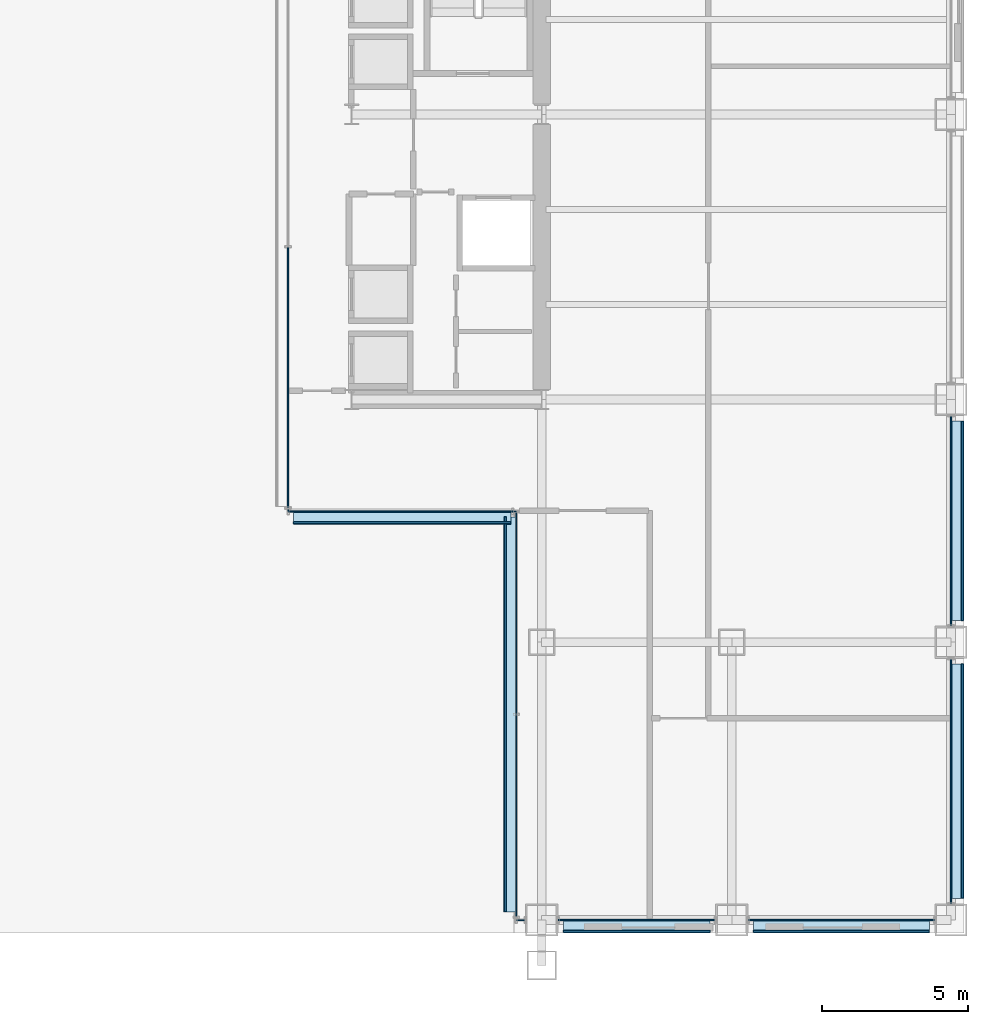
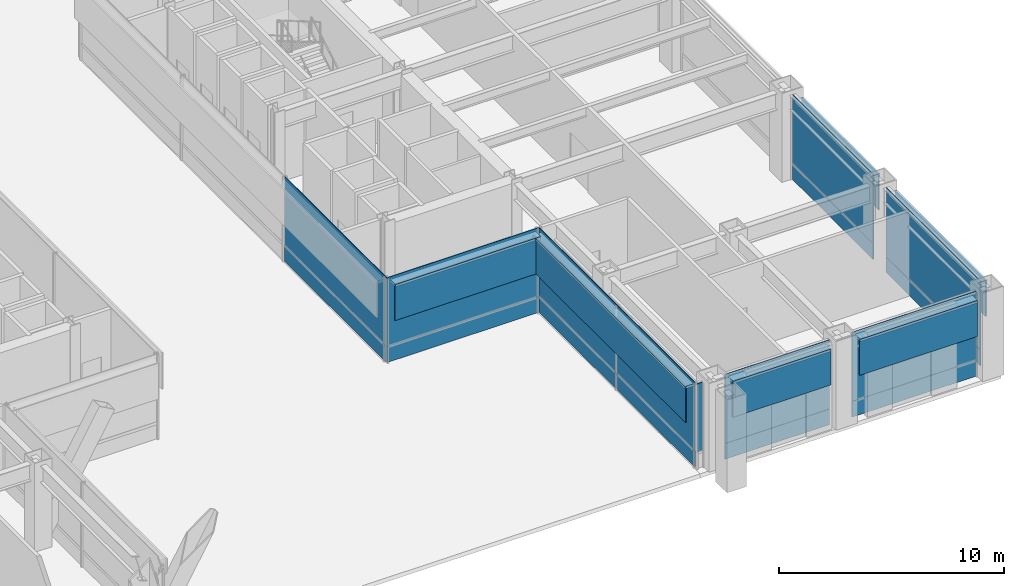
# One storey, part 24 of 37: 29 plates, 8 elements without a shape of their own.
"""IFC4 building model written with IfcOpenShell, lengths in metres."""

from ifc_helpers import new_model, si_unit, direction, frame, origin, origin_2d, place, context, subcontext, project, spatial, rectangle, extrude, material, layer, layer_set, type_object, element, aggregate, save


model = new_model("IFC4")

# Units and contexts
model_context = context("Model", 3, precision=1e-05, world=origin(), true_north=direction((0.0, 1.0)))
body_context = subcontext(model_context, "Body", "Model", "MODEL_VIEW")
ifc_project = project(units=[si_unit("LENGTHUNIT", "METRE"), si_unit("AREAUNIT", "SQUARE_METRE"), si_unit("VOLUMEUNIT", "CUBIC_METRE"), si_unit("PLANEANGLEUNIT", "RADIAN"), si_unit("MASSUNIT", "GRAM", prefix="KILO")], contexts=[model_context])

# Site, building, storey
site_placement = place(None, origin())
site = spatial("IfcSite", under=ifc_project, at=site_placement, CompositionType="ELEMENT")
building_placement = place(site_placement, origin())
building = spatial("IfcBuilding", under=site, at=building_placement, Name="Brelmoor Portico Tower", CompositionType="ELEMENT")
storey_placement = place(building_placement, origin())
storey = spatial("IfcBuildingStorey", under=building, at=storey_placement, Name="L00", CompositionType="ELEMENT", Elevation=0.0)

# Curtain wall, plate
ifc_material_1 = material(Name="Anodised Aluminium Alloy 6063-T6", Category="aluminium")
ifc_layer_1 = layer(ifc_material_1, 0.179931640625)
ifc_layer_set_1 = layer_set([ifc_layer_1], Name="Anodised Aluminium Alloy 6063-T6")
curtain_wall_type = type_object("IfcCurtainWallType", Name="CW-PODIUM-ARCH", PredefinedType="NOTDEFINED", material=ifc_layer_set_1)
curtain_wall_1_placement = place(storey_placement, origin())
curtain_wall_1 = element("IfcCurtainWall", 1, at=curtain_wall_1_placement, inside=storey, type_object=curtain_wall_type, Name="L00 Curtain Wall CW-L00-02-1", PredefinedType="NOTDEFINED")
ifc_material_2 = material(Name="Double-Silver Low-E Insulated Glazing", Category="glass")
ifc_layer_2 = layer(ifc_material_2, 0.035888671875)
ifc_layer_set_2 = layer_set([ifc_layer_2], Name="Double-Silver Low-E Insulated Glazing")
plate_type_1 = type_object("IfcPlateType", Name="PT-CW-GLASS", PredefinedType="CURTAIN_PANEL", material=ifc_layer_set_2)
plate_1_placement = place(storey_placement, frame((13.8349609375, -27.550048828125, 0.85009765625), z_axis=(0.0, 0.0, 1.0), x_axis=(1.0, 0.0, 0.0)))
plate_1 = element("IfcPlate", 2, at=plate_1_placement, type_object=plate_type_1, Name="CW-L00-02-1 Vision Glass Panel 00", PredefinedType="CURTAIN_PANEL", context=body_context, shape_type="SweptSolid", body=[
    extrude(rectangle(XDim=0.280029296875, YDim=0.035888671875, at=origin_2d()), origin(), (0.0, 0.0, 1.0), 3.72998046875),
])
aggregate(curtain_wall_1, [plate_1])

curtain_wall_2_placement = place(storey_placement, origin())
curtain_wall_2 = element("IfcCurtainWall", 3, at=curtain_wall_2_placement, inside=storey, type_object=curtain_wall_type, Name="L00 Curtain Wall CW-L00-02-2", PredefinedType="NOTDEFINED")
plate_2_placement = place(storey_placement, frame((17.800048828125, -27.550048828125, 0.85009765625), z_axis=(0.0, 0.0, 1.0), x_axis=(1.0, 0.0, 0.0)))
plate_2 = element("IfcPlate", 4, at=plate_2_placement, type_object=plate_type_1, Name="CW-L00-02-2 Vision Glass Panel 00", PredefinedType="CURTAIN_PANEL", context=body_context, shape_type="SweptSolid", body=[
    extrude(rectangle(XDim=5.35009765625, YDim=0.035888671875, at=origin_2d()), origin(), (0.0, 0.0, 1.0), 3.72998046875),
])

curtain_wall_3_placement = place(storey_placement, origin())
curtain_wall_3 = element("IfcCurtainWall", 5, at=curtain_wall_3_placement, inside=storey, type_object=curtain_wall_type, Name="L00 Curtain Wall CW-L00-02-3", PredefinedType="NOTDEFINED")
plate_3_placement = place(storey_placement, frame((24.800048828125, -27.550048828125, 0.85009765625), z_axis=(0.0, 0.0, 1.0), x_axis=(1.0, 0.0, 0.0)))
plate_3 = element("IfcPlate", 6, at=plate_3_placement, type_object=plate_type_1, Name="CW-L00-02-3 Vision Glass Panel 00", PredefinedType="CURTAIN_PANEL", context=body_context, shape_type="SweptSolid", body=[
    extrude(rectangle(XDim=6.35009765625, YDim=0.035888671875, at=origin_2d()), origin(), (0.0, 0.0, 1.0), 3.72998046875),
])

curtain_wall_4_placement = place(storey_placement, origin())
curtain_wall_4 = element("IfcCurtainWall", 7, at=curtain_wall_4_placement, inside=storey, type_object=curtain_wall_type, Name="L00 Curtain Wall CW-L00-06-1", PredefinedType="NOTDEFINED")
plate_4_placement = place(storey_placement, frame((28.550048828125, -22.800048828125, 0.85009765625), z_axis=(0.0, 0.0, 1.0), x_axis=(0.0, 1.0, 0.0)))
plate_4 = element("IfcPlate", 8, at=plate_4_placement, type_object=plate_type_1, Name="CW-L00-06-1 Vision Glass Panel 00", PredefinedType="CURTAIN_PANEL", context=body_context, shape_type="SweptSolid", body=[
    extrude(rectangle(XDim=8.35009765625, YDim=0.035888671875, at=origin_2d()), origin(), (0.0, 0.0, 1.0), 3.72998046875),
])

curtain_wall_5_placement = place(storey_placement, origin())
curtain_wall_5 = element("IfcCurtainWall", 9, at=curtain_wall_5_placement, inside=storey, type_object=curtain_wall_type, Name="L00 Curtain Wall CW-L00-06-2", PredefinedType="NOTDEFINED")
plate_5_placement = place(storey_placement, frame((28.550048828125, -13.89990234375, 0.85009765625), z_axis=(0.0, 0.0, 1.0), x_axis=(0.0, 1.0, 0.0)))
plate_5 = element("IfcPlate", 10, at=plate_5_placement, type_object=plate_type_1, Name="CW-L00-06-2 Vision Glass Panel 00", PredefinedType="CURTAIN_PANEL", context=body_context, shape_type="SweptSolid", body=[
    extrude(rectangle(XDim=7.14990234375, YDim=0.035888671875, at=origin_2d()), origin(), (0.0, 0.0, 1.0), 3.72998046875),
])

# Curtain wall, plates
curtain_wall_6_placement = place(storey_placement, origin())
curtain_wall_6 = element("IfcCurtainWall", 11, at=curtain_wall_6_placement, inside=storey, type_object=curtain_wall_type, Name="L00 Curtain Wall CW-L00-08", PredefinedType="NOTDEFINED")
plate_6_placement = place(storey_placement, frame((13.679931640625, -23.982421875, 0.85009765625), z_axis=(0.0, 0.0, 1.0), x_axis=(0.0, 1.0, 0.0)))
plate_6 = element("IfcPlate", 12, at=plate_6_placement, type_object=plate_type_1, Name="CW-L00-08 Vision Glass Panel 00", PredefinedType="CURTAIN_PANEL", context=body_context, shape_type="SweptSolid", body=[
    extrude(rectangle(XDim=6.905029296875, YDim=0.035888671875, at=origin_2d()), origin(), (0.0, 0.0, 1.0), 3.72998046875),
])
plate_7_placement = place(storey_placement, frame((13.679931640625, -17.047607421875, 0.85009765625), z_axis=(0.0, 0.0, 1.0), x_axis=(0.0, 1.0, 0.0)))
plate_7 = element("IfcPlate", 13, at=plate_7_placement, type_object=plate_type_1, Name="CW-L00-08 Vision Glass Panel 01", PredefinedType="CURTAIN_PANEL", context=body_context, shape_type="SweptSolid", body=[
    extrude(rectangle(XDim=6.905029296875, YDim=0.035888671875, at=origin_2d()), origin(), (0.0, 0.0, 1.0), 3.72998046875),
])

# Curtain wall, plate
curtain_wall_7_placement = place(storey_placement, origin())
curtain_wall_7 = element("IfcCurtainWall", 14, at=curtain_wall_7_placement, inside=storey, type_object=curtain_wall_type, Name="L00 Curtain Wall CW-L00-12", PredefinedType="NOTDEFINED")
plate_8_placement = place(storey_placement, frame((9.780029296875, -13.580078125, 0.85009765625), z_axis=(0.0, 0.0, 1.0), x_axis=(1.0, 0.0, 0.0)))
plate_8 = element("IfcPlate", 15, at=plate_8_placement, type_object=plate_type_1, Name="CW-L00-12 Vision Glass Panel 00", PredefinedType="CURTAIN_PANEL", context=body_context, shape_type="SweptSolid", body=[
    extrude(rectangle(XDim=7.77001953125, YDim=0.035888671875, at=origin_2d()), origin(), (0.0, 0.0, 1.0), 3.72998046875),
])

curtain_wall_8_placement = place(storey_placement, origin())
curtain_wall_8 = element("IfcCurtainWall", 16, at=curtain_wall_8_placement, inside=storey, type_object=curtain_wall_type, Name="L00 Curtain Wall CW-L00-16", PredefinedType="NOTDEFINED")
plate_9_placement = place(storey_placement, frame((5.8798828125, -9.05322265625, 0.85009765625), z_axis=(0.0, 0.0, 1.0), x_axis=(0.0, 1.0, 0.0)))
plate_9 = element("IfcPlate", 17, at=plate_9_placement, type_object=plate_type_1, Name="CW-L00-16 Vision Glass Panel 00", PredefinedType="CURTAIN_PANEL", context=body_context, shape_type="SweptSolid", body=[
    extrude(rectangle(XDim=9.023193359375, YDim=0.035888671875, at=origin_2d()), origin(), (0.0, 0.0, 1.0), 3.72998046875),
])

# Plate
ifc_material_3 = material(Name="Pale Champagne Anodised Aluminium Panel", Category="aluminium")
ifc_layer_3 = layer(ifc_material_3, 0.050048828125)
ifc_layer_set_3 = layer_set([ifc_layer_3], Name="Pale Champagne Anodised Aluminium Panel")
plate_type_2 = type_object("IfcPlateType", Name="PT-CW-SPANDREL", PredefinedType="SHEET", material=ifc_layer_set_3)
plate_10_placement = place(storey_placement, frame((17.800048828125, -27.550048828125, 0.0), z_axis=(0.0, 0.0, 1.0), x_axis=(1.0, 0.0, 0.0)))
plate_10 = element("IfcPlate", 18, at=plate_10_placement, type_object=plate_type_2, Name="CW-L00-02-2 Spandrel Panel 00", PredefinedType="SHEET", context=body_context, shape_type="SweptSolid", body=[
    extrude(rectangle(XDim=5.35009765625, YDim=0.050048828125, at=origin_2d()), origin(), (0.0, 0.0, 1.0), 0.85009765625),
])

aggregate(curtain_wall_2, [plate_10, plate_2])

plate_11_placement = place(storey_placement, frame((24.800048828125, -27.550048828125, 0.0), z_axis=(0.0, 0.0, 1.0), x_axis=(1.0, 0.0, 0.0)))
plate_11 = element("IfcPlate", 19, at=plate_11_placement, type_object=plate_type_2, Name="CW-L00-02-3 Spandrel Panel 00", PredefinedType="SHEET", context=body_context, shape_type="SweptSolid", body=[
    extrude(rectangle(XDim=6.35009765625, YDim=0.050048828125, at=origin_2d()), origin(), (0.0, 0.0, 1.0), 0.85009765625),
])

aggregate(curtain_wall_3, [plate_11, plate_3])

plate_12_placement = place(storey_placement, frame((28.550048828125, -22.800048828125, 0.0), z_axis=(0.0, 0.0, 1.0), x_axis=(0.0, 1.0, 0.0)))
plate_12 = element("IfcPlate", 20, at=plate_12_placement, type_object=plate_type_2, Name="CW-L00-06-1 Spandrel Panel 00", PredefinedType="SHEET", context=body_context, shape_type="SweptSolid", body=[
    extrude(rectangle(XDim=8.35009765625, YDim=0.050048828125, at=origin_2d()), origin(), (0.0, 0.0, 1.0), 0.85009765625),
])

aggregate(curtain_wall_4, [plate_12, plate_4])

plate_13_placement = place(storey_placement, frame((28.550048828125, -13.89990234375, 0.0), z_axis=(0.0, 0.0, 1.0), x_axis=(0.0, 1.0, 0.0)))
plate_13 = element("IfcPlate", 21, at=plate_13_placement, type_object=plate_type_2, Name="CW-L00-06-2 Spandrel Panel 00", PredefinedType="SHEET", context=body_context, shape_type="SweptSolid", body=[
    extrude(rectangle(XDim=7.14990234375, YDim=0.050048828125, at=origin_2d()), origin(), (0.0, 0.0, 1.0), 0.85009765625),
])

aggregate(curtain_wall_5, [plate_13, plate_5])

plate_14_placement = place(storey_placement, frame((13.679931640625, -23.982421875, 0.0), z_axis=(0.0, 0.0, 1.0), x_axis=(0.0, 1.0, 0.0)))
plate_14 = element("IfcPlate", 22, at=plate_14_placement, type_object=plate_type_2, Name="CW-L00-08 Spandrel Panel 00", PredefinedType="SHEET", context=body_context, shape_type="SweptSolid", body=[
    extrude(rectangle(XDim=6.905029296875, YDim=0.050048828125, at=origin_2d()), origin(), (0.0, 0.0, 1.0), 0.85009765625),
])

plate_15_placement = place(storey_placement, frame((13.679931640625, -17.047607421875, 0.0), z_axis=(0.0, 0.0, 1.0), x_axis=(0.0, 1.0, 0.0)))
plate_15 = element("IfcPlate", 23, at=plate_15_placement, type_object=plate_type_2, Name="CW-L00-08 Spandrel Panel 01", PredefinedType="SHEET", context=body_context, shape_type="SweptSolid", body=[
    extrude(rectangle(XDim=6.905029296875, YDim=0.050048828125, at=origin_2d()), origin(), (0.0, 0.0, 1.0), 0.85009765625),
])

aggregate(curtain_wall_6, [plate_14, plate_6, plate_15, plate_7])

plate_16_placement = place(storey_placement, frame((9.780029296875, -13.580078125, 0.0), z_axis=(0.0, 0.0, 1.0), x_axis=(1.0, 0.0, 0.0)))
plate_16 = element("IfcPlate", 24, at=plate_16_placement, type_object=plate_type_2, Name="CW-L00-12 Spandrel Panel 00", PredefinedType="SHEET", context=body_context, shape_type="SweptSolid", body=[
    extrude(rectangle(XDim=7.77001953125, YDim=0.050048828125, at=origin_2d()), origin(), (0.0, 0.0, 1.0), 0.85009765625),
])

aggregate(curtain_wall_7, [plate_16, plate_8])

plate_17_placement = place(storey_placement, frame((5.8798828125, -9.05322265625, 0.0), z_axis=(0.0, 0.0, 1.0), x_axis=(0.0, 1.0, 0.0)))
plate_17 = element("IfcPlate", 25, at=plate_17_placement, type_object=plate_type_2, Name="CW-L00-16 Spandrel Panel 00", PredefinedType="SHEET", context=body_context, shape_type="SweptSolid", body=[
    extrude(rectangle(XDim=9.023193359375, YDim=0.050048828125, at=origin_2d()), origin(), (0.0, 0.0, 1.0), 0.85009765625),
])

aggregate(curtain_wall_8, [plate_17, plate_9])

# Plates
ifc_material_4 = material(Name="Powder-Coated Aluminium Shuttered Jalousie Louvre", Category="aluminium")
ifc_layer_4 = layer(ifc_material_4, 0.06005859375)
ifc_layer_set_4 = layer_set([ifc_layer_4], Name="Powder-Coated Aluminium Shuttered Jalousie Louvre")
plate_type_3 = type_object("IfcPlateType", Name="PT-JALOUSIE-SHUTTER", PredefinedType="SHEET", material=ifc_layer_set_4)
plate_18_placement = place(storey_placement, frame((17.800048828125, -27.929931640625, 2.4404296875), z_axis=(0.0, 0.0, 1.0), x_axis=(1.0, 0.0, 0.0)))
element("IfcPlate", 26, at=plate_18_placement, inside=storey, type_object=plate_type_3, Name="CW-L00-02-2 Perforated Jalousie Solar Screen", PredefinedType="SHEET", context=body_context, shape_type="SweptSolid", body=[
    extrude(rectangle(XDim=5.02001953125, YDim=0.06494140625, at=origin_2d()), origin(), (0.0, 0.0, 1.0), 1.939697265625),
])
plate_19_placement = place(storey_placement, frame((24.800048828125, -27.929931640625, 2.4404296875), z_axis=(0.0, 0.0, 1.0), x_axis=(1.0, 0.0, 0.0)))
element("IfcPlate", 27, at=plate_19_placement, inside=storey, type_object=plate_type_3, Name="CW-L00-02-3 Perforated Jalousie Solar Screen", PredefinedType="SHEET", context=body_context, shape_type="SweptSolid", body=[
    extrude(rectangle(XDim=6.02001953125, YDim=0.06494140625, at=origin_2d()), origin(), (0.0, 0.0, 1.0), 1.939697265625),
])
plate_20_placement = place(storey_placement, frame((28.929931640625, -22.800048828125, 2.4404296875), z_axis=(0.0, 0.0, 1.0), x_axis=(0.0, 1.0, 0.0)))
element("IfcPlate", 28, at=plate_20_placement, inside=storey, type_object=plate_type_3, Name="CW-L00-06-1 Perforated Jalousie Solar Screen", PredefinedType="SHEET", context=body_context, shape_type="SweptSolid", body=[
    extrude(rectangle(XDim=8.02001953125, YDim=0.06494140625, at=origin_2d()), origin(), (0.0, 0.0, 1.0), 1.939697265625),
])
plate_21_placement = place(storey_placement, frame((28.929931640625, -13.89990234375, 2.4404296875), z_axis=(0.0, 0.0, 1.0), x_axis=(0.0, 1.0, 0.0)))
element("IfcPlate", 29, at=plate_21_placement, inside=storey, type_object=plate_type_3, Name="CW-L00-06-2 Perforated Jalousie Solar Screen", PredefinedType="SHEET", context=body_context, shape_type="SweptSolid", body=[
    extrude(rectangle(XDim=6.820068359375, YDim=0.06494140625, at=origin_2d()), origin(), (0.0, 0.0, 1.0), 1.939697265625),
])
plate_22_placement = place(storey_placement, frame((13.300048828125, -20.514892578125, 2.4404296875), z_axis=(0.0, 0.0, 1.0), x_axis=(0.0, 1.0, 0.0)))
element("IfcPlate", 30, at=plate_22_placement, inside=storey, type_object=plate_type_3, Name="CW-L00-08 Perforated Jalousie Solar Screen", PredefinedType="SHEET", context=body_context, shape_type="SweptSolid", body=[
    extrude(rectangle(XDim=13.510009765625, YDim=0.06494140625, at=origin_2d()), origin(), (0.0, 0.0, 1.0), 1.939697265625),
])
plate_23_placement = place(storey_placement, frame((9.780029296875, -13.9599609375, 2.4404296875), z_axis=(0.0, 0.0, 1.0), x_axis=(1.0, 0.0, 0.0)))
element("IfcPlate", 31, at=plate_23_placement, inside=storey, type_object=plate_type_3, Name="CW-L00-12 Perforated Jalousie Solar Screen", PredefinedType="SHEET", context=body_context, shape_type="SweptSolid", body=[
    extrude(rectangle(XDim=7.43994140625, YDim=0.06494140625, at=origin_2d()), origin(), (0.0, 0.0, 1.0), 1.939697265625),
])
ifc_material_5 = material(Name="Pale Champagne Perforated Aluminium Solar Screen", Category="aluminium")
ifc_layer_5 = layer(ifc_material_5, 0.054931640625)
ifc_layer_set_5 = layer_set([ifc_layer_5], Name="Pale Champagne Perforated Aluminium Solar Screen")
plate_type_4 = type_object("IfcPlateType", Name="PT-SOLAR-LOUVRE", PredefinedType="SHEET", material=ifc_layer_set_5)
plate_24_placement = place(storey_placement, frame((17.800048828125, -27.760009765625, 4.27001953125), z_axis=(0.0, 0.0, 1.0), x_axis=(1.0, 0.0, 0.0)))
element("IfcPlate", 32, at=plate_24_placement, inside=storey, type_object=plate_type_4, Name="CW-L00-02-2 Caribbean Brise-Soleil Solar Screen", PredefinedType="SHEET", context=body_context, shape_type="SweptSolid", body=[
    extrude(rectangle(XDim=5.02001953125, YDim=0.4599609375, at=origin_2d()), origin(), (0.0, 0.0, 1.0), 0.139892578125),
])
plate_25_placement = place(storey_placement, frame((24.800048828125, -27.760009765625, 4.27001953125), z_axis=(0.0, 0.0, 1.0), x_axis=(1.0, 0.0, 0.0)))
element("IfcPlate", 33, at=plate_25_placement, inside=storey, type_object=plate_type_4, Name="CW-L00-02-3 Caribbean Brise-Soleil Solar Screen", PredefinedType="SHEET", context=body_context, shape_type="SweptSolid", body=[
    extrude(rectangle(XDim=6.02001953125, YDim=0.4599609375, at=origin_2d()), origin(), (0.0, 0.0, 1.0), 0.139892578125),
])
plate_26_placement = place(storey_placement, frame((28.760009765625, -22.800048828125, 4.27001953125), z_axis=(0.0, 0.0, 1.0), x_axis=(0.0, 1.0, 0.0)))
element("IfcPlate", 34, at=plate_26_placement, inside=storey, type_object=plate_type_4, Name="CW-L00-06-1 Caribbean Brise-Soleil Solar Screen", PredefinedType="SHEET", context=body_context, shape_type="SweptSolid", body=[
    extrude(rectangle(XDim=8.02001953125, YDim=0.4599609375, at=origin_2d()), origin(), (0.0, 0.0, 1.0), 0.139892578125),
])
plate_27_placement = place(storey_placement, frame((28.760009765625, -13.89990234375, 4.27001953125), z_axis=(0.0, 0.0, 1.0), x_axis=(0.0, 1.0, 0.0)))
element("IfcPlate", 35, at=plate_27_placement, inside=storey, type_object=plate_type_4, Name="CW-L00-06-2 Caribbean Brise-Soleil Solar Screen", PredefinedType="SHEET", context=body_context, shape_type="SweptSolid", body=[
    extrude(rectangle(XDim=6.820068359375, YDim=0.4599609375, at=origin_2d()), origin(), (0.0, 0.0, 1.0), 0.139892578125),
])
plate_28_placement = place(storey_placement, frame((13.469970703125, -20.514892578125, 4.27001953125), z_axis=(0.0, 0.0, 1.0), x_axis=(0.0, 1.0, 0.0)))
element("IfcPlate", 36, at=plate_28_placement, inside=storey, type_object=plate_type_4, Name="CW-L00-08 Caribbean Brise-Soleil Solar Screen", PredefinedType="SHEET", context=body_context, shape_type="SweptSolid", body=[
    extrude(rectangle(XDim=13.510009765625, YDim=0.4599609375, at=origin_2d()), origin(), (0.0, 0.0, 1.0), 0.139892578125),
])
plate_29_placement = place(storey_placement, frame((9.780029296875, -13.7900390625, 4.27001953125), z_axis=(0.0, 0.0, 1.0), x_axis=(1.0, 0.0, 0.0)))
element("IfcPlate", 37, at=plate_29_placement, inside=storey, type_object=plate_type_4, Name="CW-L00-12 Caribbean Brise-Soleil Solar Screen", PredefinedType="SHEET", context=body_context, shape_type="SweptSolid", body=[
    extrude(rectangle(XDim=7.43994140625, YDim=0.4599609375, at=origin_2d()), origin(), (0.0, 0.0, 1.0), 0.139892578125),
])

save(model, "model.ifc")
